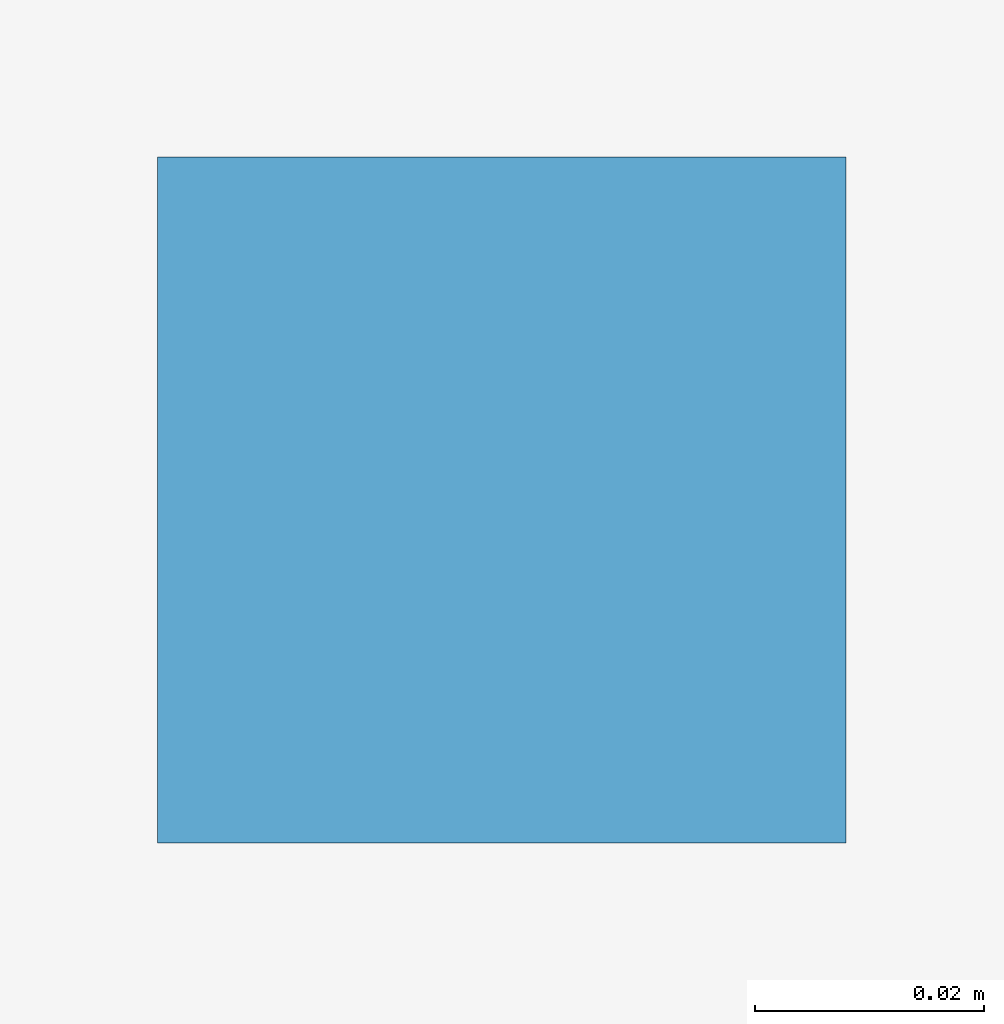
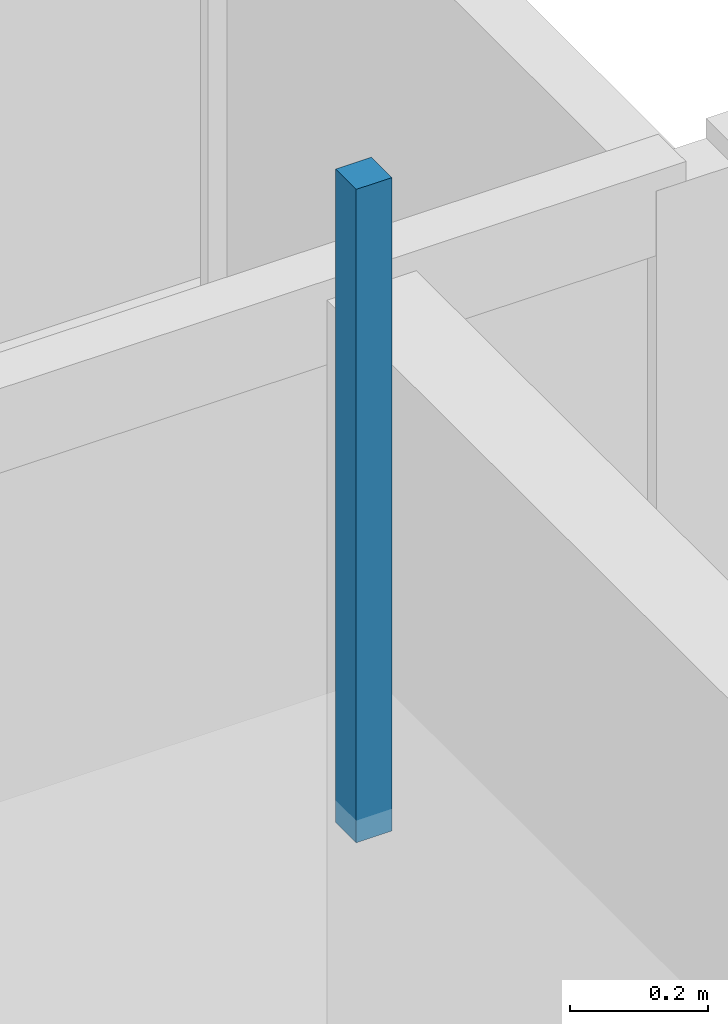
# One storey, part 76 of 110: 1 discrete accessory.
"""IFC4 building model written with IfcOpenShell, lengths in metres."""

import ifcopenshell
import ifcopenshell.guid

model = None  # the IFC model being written
_history = None  # IfcOwnerHistory: only IFC2X3 demands one
_inside = {}  # id of a spatial element -> (the spatial element, [elements in it])
_under = {}  # id of a project, library or spatial element -> (it, [spatial elements below it])
_declared = {}  # id of a project -> (the project, [libraries it declares])
_typed = {}  # id of a type object -> (the type object, [elements of that type])
_made_of = {}  # id of a material, layer set ... -> (it, [elements and type objects made of it])


def new_model(schema):
    """Start an empty IFC model of exactly this schema.

    Asked for "IFC4X3", IfcOpenShell would pick the latest addendum, in which some entities
    have other attributes; the version numbers below select the first issue.
    IFC2X3 requires an IfcOwnerHistory on every rooted entity: one is made here for all.
    """
    global model, _history
    if schema == "IFC4X3":
        model = ifcopenshell.file(schema_version=(4, 3, 0, 0))
    else:
        model = ifcopenshell.file(schema=schema)
    _inside.clear()
    _under.clear()
    _declared.clear()
    _typed.clear()
    _made_of.clear()
    _history = None
    if model.schema == "IFC2X3":
        org = make("IfcOrganization", Name="unknown")
        user = make(
            "IfcPersonAndOrganization",
            ThePerson=make("IfcPerson", FamilyName="unknown"),
            TheOrganization=org,
        )
        app = make(
            "IfcApplication",
            ApplicationDeveloper=org,
            Version="unknown",
            ApplicationFullName="unknown",
            ApplicationIdentifier="unknown",
        )
        _history = make(
            "IfcOwnerHistory",
            OwningUser=user,
            OwningApplication=app,
            ChangeAction="ADDED",
            CreationDate=0,
        )
    return model


def make(cls, **values):
    """One entity of the class cls with the attributes given. An attribute that is None is left unset."""
    return model.create_entity(
        cls, **{name: value for name, value in values.items() if value is not None}
    )


def rooted(cls, **values):
    """An entity with a GlobalId (a new one), such as an element, a storey or a relation."""
    return make(cls, GlobalId=ifcopenshell.guid.new(), OwnerHistory=_history, **values)


def si_unit(unit_type, name, prefix=None):
    """IfcSIUnit, for example si_unit("LENGTHUNIT", "METRE", prefix="MILLI")."""
    return make("IfcSIUnit", UnitType=unit_type, Prefix=prefix, Name=name)


def assignment(units):
    """IfcUnitAssignment: the units of a project."""
    return None if units is None else make("IfcUnitAssignment", Units=units)


def point(xyz):
    """IfcCartesianPoint."""
    return None if xyz is None else make("IfcCartesianPoint", Coordinates=xyz)


def direction(xyz):
    """IfcDirection."""
    return None if xyz is None else make("IfcDirection", DirectionRatios=xyz)


def frame(location, z_axis=None, x_axis=None):
    """IfcAxis2Placement3D, a coordinate frame: its origin and axes. An axis left out is left unset."""
    return make(
        "IfcAxis2Placement3D",
        Location=point(location),
        Axis=direction(z_axis),
        RefDirection=direction(x_axis),
    )


def origin():
    """The frame at (0, 0, 0) with its axes left unset."""
    return frame((0.0, 0.0, 0.0))


def place(relative_to, where):
    """IfcLocalPlacement: puts the frame where relative to a parent placement (None: the world)."""
    return make(
        "IfcLocalPlacement", PlacementRelTo=relative_to, RelativePlacement=where
    )


def context(
    kind, dimensions, precision=None, world=None, true_north=None, identifier=None
):
    """IfcGeometricRepresentationContext, for example the 3D "Model" context."""
    return make(
        "IfcGeometricRepresentationContext",
        ContextIdentifier=identifier,
        ContextType=kind,
        CoordinateSpaceDimension=dimensions,
        Precision=precision,
        WorldCoordinateSystem=world,
        TrueNorth=true_north,
    )


def subcontext(parent, identifier, kind, view, scale=None):
    """IfcGeometricRepresentationSubContext, for example "Body" below "Model"."""
    return make(
        "IfcGeometricRepresentationSubContext",
        ContextIdentifier=identifier,
        ContextType=kind,
        ParentContext=parent,
        TargetScale=scale,
        TargetView=view,
    )


def project(units=None, contexts=None):
    """IfcProject with its units and contexts."""
    return rooted(
        "IfcProject",
        Name="project",
        RepresentationContexts=contexts,
        UnitsInContext=assignment(units),
    )


def spatial(cls, under=None, at=None, **own):
    """A site, building, storey or space (cls), placed at a placement, below another one or the project."""
    s = rooted(cls, ObjectPlacement=at, **own)
    if under is not None:
        _under.setdefault(under.id(), (under, []))[1].append(s)
    return s


def polyline(points):
    """IfcPolyline through the points."""
    return make("IfcPolyline", Points=[point(p) for p in points])


def outline(outer, holes=None, kind="AREA"):
    """IfcArbitraryClosedProfileDef: a profile drawn as a closed curve; with holes, ...WithVoids."""
    if holes is None:
        return make("IfcArbitraryClosedProfileDef", ProfileType=kind, OuterCurve=outer)
    return make(
        "IfcArbitraryProfileDefWithVoids",
        ProfileType=kind,
        OuterCurve=outer,
        InnerCurves=holes,
    )


def extrude(swept, where, along, depth):
    """IfcExtrudedAreaSolid: the profile swept, set in the frame where, extruded along a direction by depth."""
    return make(
        "IfcExtrudedAreaSolid",
        SweptArea=swept,
        Position=where,
        ExtrudedDirection=direction(along),
        Depth=depth,
    )


def shape(context_of_items, identifier, shape_type, items):
    """IfcShapeRepresentation: the items that make up one representation, for example the "Body"."""
    return make(
        "IfcShapeRepresentation",
        ContextOfItems=context_of_items,
        RepresentationIdentifier=identifier,
        RepresentationType=shape_type,
        Items=items,
    )


def material(Name=None, Category=None):
    """IfcMaterial."""
    return make("IfcMaterial", Name=Name, Category=Category)


def made_of(thing, what):
    """Note that an element or type object is made of a material, layer set ...; save() writes the relation."""
    if what is not None:
        _made_of.setdefault(what.id(), (what, []))[1].append(thing)
    return thing


def type_object(cls, material=None, **own):
    """A type object (cls), such as IfcWallType, which elements share."""
    return made_of(rooted(cls, **own), material)


def element(
    cls,
    number,
    at=None,
    inside=None,
    cuts=None,
    type_object=None,
    material=None,
    context=None,
    identifier="Body",
    shape_type=None,
    held_by="IfcProductDefinitionShape",
    body=None,
    shapes=None,
    **own,
):
    """One element of the class cls, such as IfcWall. Its Tag is "e" and its number.

    at: its placement. inside: the storey or other place that contains it. cuts: it is an
    opening in that element (IfcRelVoidsElement). A single representation is given by context,
    identifier, shape_type and body (its items); several are given by shapes. held_by: the class
    of the entity that holds the representations. save() writes the other relations.
    """
    e = rooted(cls, Tag="e%d" % number, ObjectPlacement=at, **own)
    if body is not None:
        shapes = [shape(context, identifier, shape_type, body)]
    if shapes is not None:
        e.Representation = make(held_by, Representations=shapes)
    if inside is not None:
        _inside.setdefault(inside.id(), (inside, []))[1].append(e)
    if cuts is not None:
        rooted(
            "IfcRelVoidsElement", RelatingBuildingElement=cuts, RelatedOpeningElement=e
        )
    if type_object is not None:
        _typed.setdefault(type_object.id(), (type_object, []))[1].append(e)
    return made_of(e, material)


def aggregate(whole, parts):
    """IfcRelAggregates: a whole, such as a stair, and the parts it consists of."""
    return rooted("IfcRelAggregates", RelatingObject=whole, RelatedObjects=parts)


def save(model, path):
    """Write the relations noted so far, then the file.

    IfcRelAggregates (storeys below a building ...), IfcRelContainedInSpatialStructure (elements
    in a storey), IfcRelDefinesByType, IfcRelAssociatesMaterial and IfcRelDeclares: one each for
    every whole, place, type object, material and project.
    """
    for whole, parts in _under.values():
        aggregate(whole, parts)
    for where, things in _inside.values():
        rooted(
            "IfcRelContainedInSpatialStructure",
            RelatedElements=things,
            RelatingStructure=where,
        )
    for kind, things in _typed.values():
        rooted("IfcRelDefinesByType", RelatedObjects=things, RelatingType=kind)
    for what, things in _made_of.values():
        rooted("IfcRelAssociatesMaterial", RelatedObjects=things, RelatingMaterial=what)
    for by, libraries in _declared.values():
        rooted("IfcRelDeclares", RelatingContext=by, RelatedDefinitions=libraries)
    model.write(path)


model = new_model("IFC4")

# Units and contexts
model_context = context("Model", 3, precision=1e-05, world=origin(), true_north=direction((0.0, 1.0)))
body_context = subcontext(model_context, "Body", "Model", "MODEL_VIEW")
ifc_project = project(units=[si_unit("LENGTHUNIT", "METRE"), si_unit("AREAUNIT", "SQUARE_METRE"), si_unit("VOLUMEUNIT", "CUBIC_METRE"), si_unit("PLANEANGLEUNIT", "RADIAN"), si_unit("MASSUNIT", "GRAM", prefix="KILO")], contexts=[model_context])

# Site, building, storey
site_placement = place(None, origin())
site = spatial("IfcSite", under=ifc_project, at=site_placement, CompositionType="ELEMENT")
building_placement = place(site_placement, origin())
building = spatial("IfcBuilding", under=site, at=building_placement, Name="Dunescarp Central Library", CompositionType="ELEMENT")
storey_placement = place(building_placement, frame((0.0, 0.0, 9.60009765625)))
storey = spatial("IfcBuildingStorey", under=building, at=storey_placement, Name="L02", CompositionType="ELEMENT", Elevation=9.60009765625)

# Discrete accessory
ifc_material = material(Name="Stainless steel Grade 316L", Category="steel")
discrete_accessory_type = type_object("IfcDiscreteAccessoryType", Name="ARC-ACC-BRK", PredefinedType="BRACKET", material=ifc_material)
discrete_accessory_placement = place(storey_placement, frame((0.0, 0.0, 3.059814453125)))
element("IfcDiscreteAccessory", 1, at=discrete_accessory_placement, inside=storey, type_object=discrete_accessory_type, Name="L02 ceiling hanger CLG-L02-021-H2", PredefinedType="BRACKET", context=body_context, shape_type="SweptSolid", body=[
    extrude(outline(polyline([(25.919921875, 36.320068359375), (25.97998046875, 36.320068359375), (25.97998046875, 36.3798828125), (25.919921875, 36.3798828125), (25.919921875, 36.320068359375)])), origin(), (0.0, 0.0, 1.0), 1.16015625),
])

save(model, "model.ifc")
